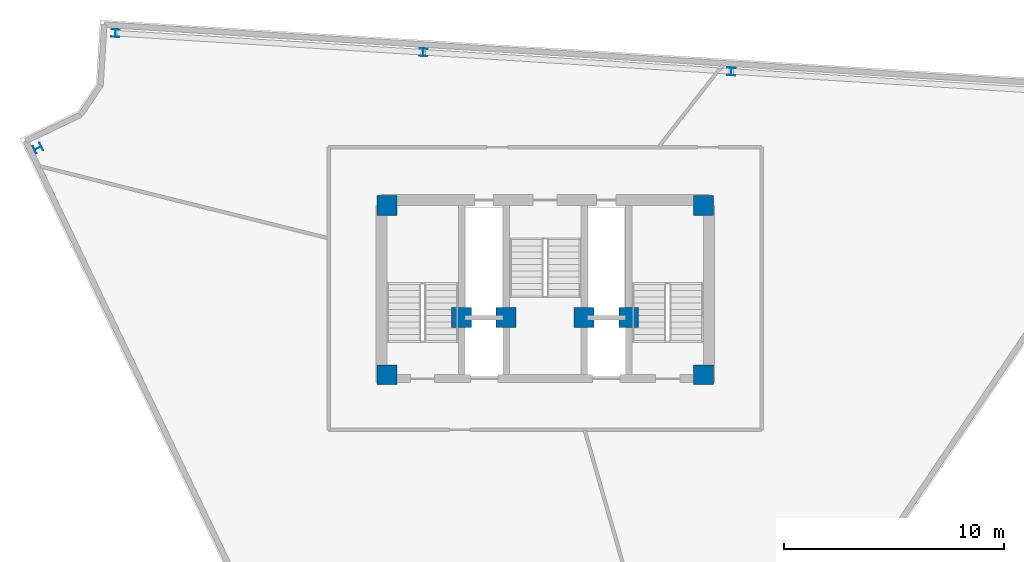
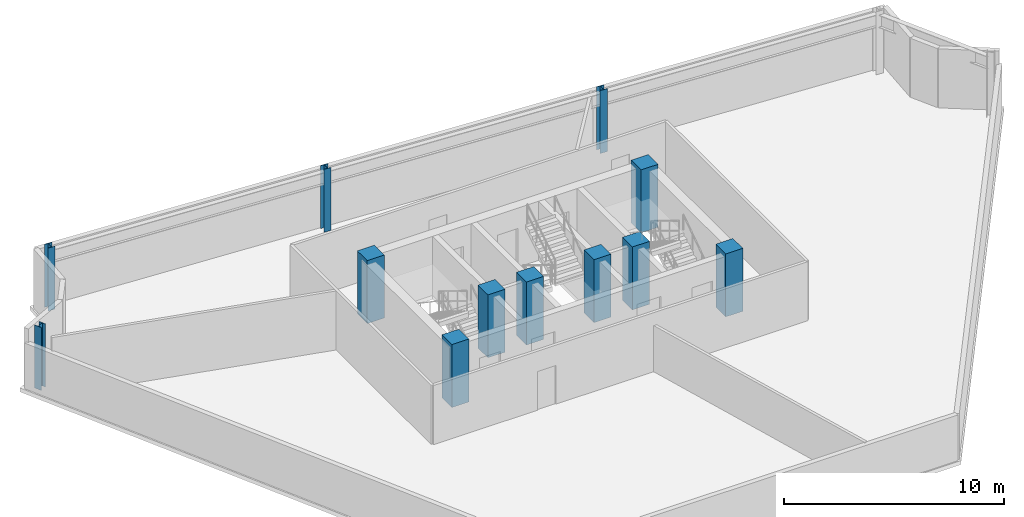
# One storey, part 1 of 5: 12 columns.
"""IFC4 building model written with IfcOpenShell, lengths in metres."""

from ifc_helpers import new_model, si_unit, direction, frame, origin, origin_2d, place, context, subcontext, project, spatial, rectangle, i_section, extrude, material, material_profile, profile_set, type_object, element, save


model = new_model("IFC4")

# Units and contexts
model_context = context("Model", 3, precision=1e-05, world=origin(), true_north=direction((0.0, 1.0)))
body_context = subcontext(model_context, "Body", "Model", "MODEL_VIEW")
ifc_project = project(units=[si_unit("LENGTHUNIT", "METRE"), si_unit("AREAUNIT", "SQUARE_METRE"), si_unit("VOLUMEUNIT", "CUBIC_METRE"), si_unit("PLANEANGLEUNIT", "RADIAN"), si_unit("MASSUNIT", "GRAM", prefix="KILO")], contexts=[model_context])

# Site, building, storey
site_placement = place(None, origin())
site = spatial("IfcSite", under=ifc_project, at=site_placement, CompositionType="ELEMENT")
building_placement = place(site_placement, origin())
building = spatial("IfcBuilding", under=site, at=building_placement, Name="Apsidion Concourse Tower", CompositionType="ELEMENT")
storey_placement = place(building_placement, frame((0.0, 0.0, 339.5)))
storey = spatial("IfcBuildingStorey", under=building, at=storey_placement, Name="L80", CompositionType="ELEMENT", Elevation=339.5)

# Columns
ifc_material_1 = material(Name="Concrete C50/60", Category="concrete")
ifc_material_profile_1 = material_profile(ifc_material_1, rectangle(XDim=0.89990234375, YDim=0.89990234375, at=origin_2d()), Name="RC 900x900")
ifc_profile_set_1 = profile_set([ifc_material_profile_1], Name="Concrete C50/60")
column_type_1 = type_object("IfcColumnType", Name="COL-RC-900", PredefinedType="COLUMN", material=ifc_profile_set_1)
for number, where, z_axis, x_axis, name in (
    (1, (7.199951171875, 1.449951171875, 0.0), (0.0, 0.0, 1.0), (1.0, 0.0, 0.0), "L80 Core Super-Column SC3"),
    (2, (7.199951171875, 9.14990234375, 0.0), (0.0, 0.0, 1.0), (1.0, 0.0, 0.0), "L80 Core Super-Column SC4"),
    (3, (-7.199951171875, 9.14990234375, 0.0), (0.0, 0.0, 1.0), (1.0, 0.0, 0.0), "L80 Core Super-Column SC5"),
    (4, (-7.199951171875, 1.449951171875, 0.0), (0.0, 0.0, 1.0), (1.0, 0.0, 0.0), "L80 Core Super-Column SC6"),
    (5, (-3.800048828125, 4.050048828125, 0.0), (0.0, 0.0, 1.0), (1.0, 0.0, 0.0), "L80 Core Super-Column CC1"),
    (6, (3.800048828125, 4.050048828125, 0.0), (0.0, 0.0, 1.0), (1.0, 0.0, 0.0), "L80 Core Super-Column CC2"),
    (7, (-1.77490234375, 4.050048828125, 0.0), (0.0, 0.0, 1.0), (1.0, 0.0, 0.0), "L80 Core Super-Column CC3"),
    (8, (1.77490234375, 4.050048828125, 0.0), (0.0, 0.0, 1.0), (1.0, 0.0, 0.0), "L80 Core Super-Column CC4"),
):
    element("IfcColumn", number, at=place(storey_placement, frame(where, z_axis=z_axis, x_axis=x_axis)), inside=storey, type_object=column_type_1, Name=name, PredefinedType="COLUMN", context=body_context, shape_type="SweptSolid", body=[
        extrude(rectangle(XDim=0.89990234375, YDim=0.89990234375, at=origin_2d()), origin(), (0.0, 0.0, 1.0), 3.5),
    ])
ifc_material_2 = material(Name="Structural steel ASTM A992 Grade 50", Category="steel")
ifc_material_profile_2 = material_profile(ifc_material_2, i_section(OverallWidth=0.367919921875, OverallDepth=0.35595703125, WebThickness=0.01123046875, FlangeThickness=0.01806640625, at=origin_2d()), Name="W14X90")
ifc_profile_set_2 = profile_set([ifc_material_profile_2], Name="Structural steel ASTM A992 Grade 50")
column_type_2 = type_object("IfcColumnType", Name="COL-W14-90", PredefinedType="COLUMN", material=ifc_profile_set_2)
for number, where, z_axis, x_axis, name in (
    (9, (-23.0732421875, 11.758544921875, 0.0), (0.0, 0.0, 1.0), (-0.431298587031, 0.902209248913, 0.0), "L80 Rotated Perimeter Column PC01"),
    (10, (8.469482421875, 15.24853515625, 0.0), (0.0, 0.0, 1.0), (-0.998081143466, 0.061919553109, 0.0), "L80 Rotated Perimeter Column PC10"),
    (11, (-5.5380859375, 16.118408203125, 0.0), (0.0, 0.0, 1.0), (-0.998081143466, 0.061919553109, 0.0), "L80 Rotated Perimeter Column PC11"),
    (12, (-19.5458984375, 16.98828125, 0.0), (0.0, 0.0, 1.0), (-0.998081143466, 0.061919553109, 0.0), "L80 Rotated Perimeter Column PC12"),
):
    element("IfcColumn", number, at=place(storey_placement, frame(where, z_axis=z_axis, x_axis=x_axis)), inside=storey, type_object=column_type_2, Name=name, PredefinedType="COLUMN", context=body_context, shape_type="SweptSolid", body=[
        extrude(i_section(OverallWidth=0.367919921875, OverallDepth=0.35595703125, WebThickness=0.01123046875, FlangeThickness=0.01806640625, at=origin_2d()), origin(), (0.0, 0.0, 1.0), 3.5),
    ])

save(model, "model.ifc")
